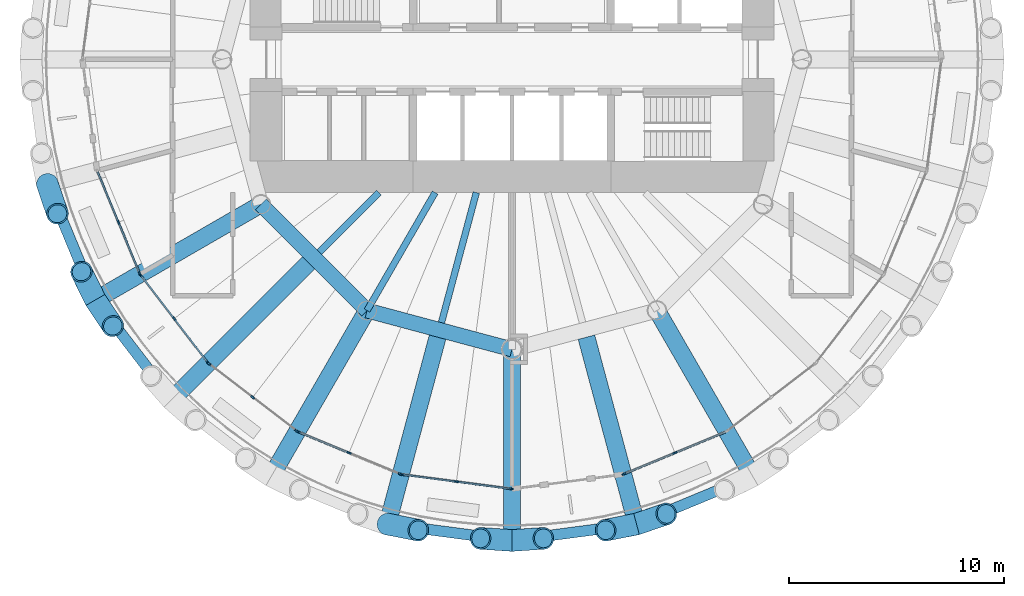
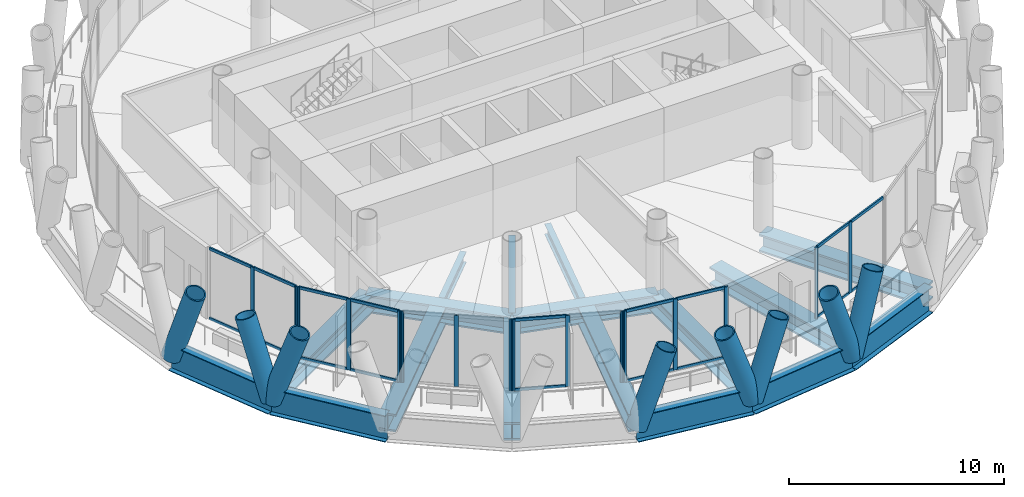
# One storey, part 2 of 13: 42 members, 17 beams, 6 elements without a shape of their own.
"""IFC4 building model written with IfcOpenShell, lengths in metres."""

from ifc_helpers import new_model, si_unit, direction, frame, origin, origin_2d, place, context, subcontext, project, spatial, rectangle, hollow_circle, i_section, extrude, material, material_profile, profile_set, type_object, element, aggregate, save


model = new_model("IFC4")

# Units and contexts
model_context = context("Model", 3, precision=1e-05, world=origin(), true_north=direction((0.0, 1.0)))
body_context = subcontext(model_context, "Body", "Model", "MODEL_VIEW")
ifc_project = project(units=[si_unit("LENGTHUNIT", "METRE"), si_unit("AREAUNIT", "SQUARE_METRE"), si_unit("VOLUMEUNIT", "CUBIC_METRE"), si_unit("PLANEANGLEUNIT", "RADIAN"), si_unit("MASSUNIT", "GRAM", prefix="KILO")], contexts=[model_context])

# Site, building, storey
site_placement = place(None, origin())
site = spatial("IfcSite", under=ifc_project, at=site_placement, CompositionType="ELEMENT")
building_placement = place(site_placement, origin())
building = spatial("IfcBuilding", under=site, at=building_placement, Name="Qaws Media Tower", CompositionType="ELEMENT")
storey_placement = place(building_placement, frame((0.0, 0.0, 244.39990234375)))
storey = spatial("IfcBuildingStorey", under=building, at=storey_placement, Name="L56", CompositionType="ELEMENT", Elevation=244.39990234375)

# Curtain wall, members
ifc_material_1 = material(Name="Aluminium and clear glass", Category="aluminium")
curtain_wall_type = type_object("IfcCurtainWallType", Name="Unitised curtain wall CW-C", PredefinedType="NOTDEFINED", material=ifc_material_1)
curtain_wall_1_placement = place(storey_placement, origin())
curtain_wall_1 = element("IfcCurtainWall", 1, at=curtain_wall_1_placement, inside=storey, type_object=curtain_wall_type, Name="CWC curtain wall L56-14", PredefinedType="NOTDEFINED")
ifc_material_2 = material(Name="Aluminium mullion", Category="aluminium")
ifc_material_profile_1 = material_profile(ifc_material_2, rectangle(XDim=0.080078125, YDim=0.199951171875, at=origin_2d()), Name="80x200")
ifc_profile_set_1 = profile_set([ifc_material_profile_1], Name="Aluminium mullion")
member_type_1 = type_object("IfcMemberType", Name="Curtain wall mullion 80x200", PredefinedType="MULLION", material=ifc_profile_set_1)
member_1_placement = place(storey_placement, frame((41.680419921875, 42.411865234375, 0.0), z_axis=(0.0, 0.0, 1.0), x_axis=(0.923879492524, 0.382683528904, 0.0)))
member_1 = element("IfcMember", 2, at=member_1_placement, type_object=member_type_1, Name="CWC mullion 2", PredefinedType="MULLION", context=body_context, shape_type="SweptSolid", body=[
    extrude(rectangle(XDim=0.080078125, YDim=0.199951171875, at=origin_2d()), origin(), (0.0, 0.0, 1.0), 4.0400390625),
])
member_2_placement = place(storey_placement, frame((42.664306640625, 40.036865234375, 0.0), z_axis=(0.0, 0.0, 1.0), x_axis=(0.923879492524, 0.382683528904, 0.0)))
member_2 = element("IfcMember", 3, at=member_2_placement, type_object=member_type_1, Name="CWC mullion 3", PredefinedType="MULLION", context=body_context, shape_type="SweptSolid", body=[
    extrude(rectangle(XDim=0.080078125, YDim=0.199951171875, at=origin_2d()), origin(), (0.0, 0.0, 1.0), 4.0400390625),
])

curtain_wall_2_placement = place(storey_placement, origin())
curtain_wall_2 = element("IfcCurtainWall", 4, at=curtain_wall_2_placement, inside=storey, type_object=curtain_wall_type, Name="CWC curtain wall L56-15", PredefinedType="NOTDEFINED")
member_3_placement = place(storey_placement, frame((42.703857421875, 39.96826171875, 0.0), z_axis=(0.0, 0.0, 1.0), x_axis=(0.793353408811, 0.608761339712, 0.0)))
member_3 = element("IfcMember", 5, at=member_3_placement, type_object=member_type_1, Name="CWC mullion 1", PredefinedType="MULLION", context=body_context, shape_type="SweptSolid", body=[
    extrude(rectangle(XDim=0.080078125, YDim=0.199951171875, at=origin_2d()), origin(), (0.0, 0.0, 1.0), 4.0400390625),
])
member_4_placement = place(storey_placement, frame((44.268798828125, 37.928955078125, 0.0), z_axis=(0.0, 0.0, 1.0), x_axis=(0.793353408811, 0.608761339712, 0.0)))
member_4 = element("IfcMember", 6, at=member_4_placement, type_object=member_type_1, Name="CWC mullion 2", PredefinedType="MULLION", context=body_context, shape_type="SweptSolid", body=[
    extrude(rectangle(XDim=0.080078125, YDim=0.199951171875, at=origin_2d()), origin(), (0.0, 0.0, 1.0), 4.0400390625),
])
member_5_placement = place(storey_placement, frame((45.83349609375, 35.8896484375, 0.0), z_axis=(0.0, 0.0, 1.0), x_axis=(0.793353408811, 0.608761339712, 0.0)))
member_5 = element("IfcMember", 7, at=member_5_placement, type_object=member_type_1, Name="CWC mullion 3", PredefinedType="MULLION", context=body_context, shape_type="SweptSolid", body=[
    extrude(rectangle(XDim=0.080078125, YDim=0.199951171875, at=origin_2d()), origin(), (0.0, 0.0, 1.0), 4.0400390625),
])

curtain_wall_3_placement = place(storey_placement, origin())
curtain_wall_3 = element("IfcCurtainWall", 8, at=curtain_wall_3_placement, inside=storey, type_object=curtain_wall_type, Name="CWC curtain wall L56-16", PredefinedType="NOTDEFINED")
member_6_placement = place(storey_placement, frame((45.8896484375, 35.83349609375, 0.0), z_axis=(0.0, 0.0, 1.0), x_axis=(0.608761339712, 0.793353408811, 0.0)))
member_6 = element("IfcMember", 9, at=member_6_placement, type_object=member_type_1, Name="CWC mullion 1", PredefinedType="MULLION", context=body_context, shape_type="SweptSolid", body=[
    extrude(rectangle(XDim=0.080078125, YDim=0.199951171875, at=origin_2d()), origin(), (0.0, 0.0, 1.0), 4.0400390625),
])
member_7_placement = place(storey_placement, frame((47.928955078125, 34.268798828125, 0.0), z_axis=(0.0, 0.0, 1.0), x_axis=(0.608761339712, 0.793353408811, 0.0)))
member_7 = element("IfcMember", 10, at=member_7_placement, type_object=member_type_1, Name="CWC mullion 2", PredefinedType="MULLION", context=body_context, shape_type="SweptSolid", body=[
    extrude(rectangle(XDim=0.080078125, YDim=0.199951171875, at=origin_2d()), origin(), (0.0, 0.0, 1.0), 4.0400390625),
])
member_8_placement = place(storey_placement, frame((49.96826171875, 32.703857421875, 0.0), z_axis=(0.0, 0.0, 1.0), x_axis=(0.608761339712, 0.793353408811, 0.0)))
member_8 = element("IfcMember", 11, at=member_8_placement, type_object=member_type_1, Name="CWC mullion 3", PredefinedType="MULLION", context=body_context, shape_type="SweptSolid", body=[
    extrude(rectangle(XDim=0.080078125, YDim=0.199951171875, at=origin_2d()), origin(), (0.0, 0.0, 1.0), 4.0400390625),
])
aggregate(curtain_wall_3, [member_6, member_7, member_8])

curtain_wall_4_placement = place(storey_placement, origin())
curtain_wall_4 = element("IfcCurtainWall", 12, at=curtain_wall_4_placement, inside=storey, type_object=curtain_wall_type, Name="CWC curtain wall L56-17", PredefinedType="NOTDEFINED")
member_9_placement = place(storey_placement, frame((50.036865234375, 32.664306640625, 0.0), z_axis=(0.0, 0.0, 1.0), x_axis=(0.382683528904, 0.923879492524, 0.0)))
member_9 = element("IfcMember", 13, at=member_9_placement, type_object=member_type_1, Name="CWC mullion 1", PredefinedType="MULLION", context=body_context, shape_type="SweptSolid", body=[
    extrude(rectangle(XDim=0.080078125, YDim=0.199951171875, at=origin_2d()), origin(), (0.0, 0.0, 1.0), 4.0400390625),
])
member_10_placement = place(storey_placement, frame((52.411865234375, 31.680419921875, 0.0), z_axis=(0.0, 0.0, 1.0), x_axis=(0.382683528904, 0.923879492524, 0.0)))
member_10 = element("IfcMember", 14, at=member_10_placement, type_object=member_type_1, Name="CWC mullion 2", PredefinedType="MULLION", context=body_context, shape_type="SweptSolid", body=[
    extrude(rectangle(XDim=0.080078125, YDim=0.199951171875, at=origin_2d()), origin(), (0.0, 0.0, 1.0), 4.0400390625),
])
member_11_placement = place(storey_placement, frame((54.78662109375, 30.69677734375, 0.0), z_axis=(0.0, 0.0, 1.0), x_axis=(0.382683528904, 0.923879492524, 0.0)))
member_11 = element("IfcMember", 15, at=member_11_placement, type_object=member_type_1, Name="CWC mullion 3", PredefinedType="MULLION", context=body_context, shape_type="SweptSolid", body=[
    extrude(rectangle(XDim=0.080078125, YDim=0.199951171875, at=origin_2d()), origin(), (0.0, 0.0, 1.0), 4.0400390625),
])

curtain_wall_5_placement = place(storey_placement, origin())
curtain_wall_5 = element("IfcCurtainWall", 16, at=curtain_wall_5_placement, inside=storey, type_object=curtain_wall_type, Name="CWC curtain wall L56-18", PredefinedType="NOTDEFINED")
member_12_placement = place(storey_placement, frame((54.86328125, 30.67626953125, 0.0), z_axis=(0.0, 0.0, 1.0), x_axis=(0.130526100509, 0.991444873448, 0.0)))
member_12 = element("IfcMember", 17, at=member_12_placement, type_object=member_type_1, Name="CWC mullion 1", PredefinedType="MULLION", context=body_context, shape_type="SweptSolid", body=[
    extrude(rectangle(XDim=0.080078125, YDim=0.199951171875, at=origin_2d()), origin(), (0.0, 0.0, 1.0), 4.0400390625),
])
member_13_placement = place(storey_placement, frame((57.411865234375, 30.3408203125, 0.0), z_axis=(0.0, 0.0, 1.0), x_axis=(0.130526100509, 0.991444873448, 0.0)))
member_13 = element("IfcMember", 18, at=member_13_placement, type_object=member_type_1, Name="CWC mullion 2", PredefinedType="MULLION", context=body_context, shape_type="SweptSolid", body=[
    extrude(rectangle(XDim=0.080078125, YDim=0.199951171875, at=origin_2d()), origin(), (0.0, 0.0, 1.0), 4.0400390625),
])
member_14_placement = place(storey_placement, frame((59.96044921875, 30.005126953125, 0.0), z_axis=(0.0, 0.0, 1.0), x_axis=(0.130526100509, 0.991444873448, 0.0)))
member_14 = element("IfcMember", 19, at=member_14_placement, type_object=member_type_1, Name="CWC mullion 3", PredefinedType="MULLION", context=body_context, shape_type="SweptSolid", body=[
    extrude(rectangle(XDim=0.080078125, YDim=0.199951171875, at=origin_2d()), origin(), (0.0, 0.0, 1.0), 4.0400390625),
])

curtain_wall_6_placement = place(storey_placement, origin())
curtain_wall_6 = element("IfcCurtainWall", 20, at=curtain_wall_6_placement, inside=storey, type_object=curtain_wall_type, Name="CWC curtain wall L56-20", PredefinedType="NOTDEFINED")
member_15_placement = place(storey_placement, frame((65.21337890625, 30.69677734375, 0.0), z_axis=(0.0, 0.0, 1.0), x_axis=(-0.382683528904, 0.923879492524, 0.0)))
member_15 = element("IfcMember", 21, at=member_15_placement, type_object=member_type_1, Name="CWC mullion 1", PredefinedType="MULLION", context=body_context, shape_type="SweptSolid", body=[
    extrude(rectangle(XDim=0.080078125, YDim=0.199951171875, at=origin_2d()), origin(), (0.0, 0.0, 1.0), 4.0400390625),
])
member_16_placement = place(storey_placement, frame((67.588134765625, 31.680419921875, 0.0), z_axis=(0.0, 0.0, 1.0), x_axis=(-0.382683528904, 0.923879492524, 0.0)))
member_16 = element("IfcMember", 22, at=member_16_placement, type_object=member_type_1, Name="CWC mullion 2", PredefinedType="MULLION", context=body_context, shape_type="SweptSolid", body=[
    extrude(rectangle(XDim=0.080078125, YDim=0.199951171875, at=origin_2d()), origin(), (0.0, 0.0, 1.0), 4.0400390625),
])

# Member
ifc_material_3 = material(Name="Aluminium transom", Category="aluminium")
ifc_material_profile_2 = material_profile(ifc_material_3, rectangle(XDim=0.080078125, YDim=0.159912109375, at=origin_2d()), Name="80x160")
ifc_profile_set_2 = profile_set([ifc_material_profile_2], Name="Aluminium transom")
member_type_2 = type_object("IfcMemberType", Name="Curtain wall transom 80x160", PredefinedType="USERDEFINED", material=ifc_profile_set_2)
member_17_placement = place(storey_placement, frame((40.712158203125, 44.749755859375, 0.0400390625), z_axis=(0.382686542724, -0.923878244152, 0.0), x_axis=(0.923878244152, 0.382686542724, 0.0)))
member_17 = element("IfcMember", 23, at=member_17_placement, type_object=member_type_2, Name="CWC transom 1.1", ObjectType="TRANSOM", PredefinedType="USERDEFINED", context=body_context, shape_type="SweptSolid", body=[
    extrude(rectangle(XDim=0.080078125, YDim=0.159912109375, at=origin_2d()), origin(), (0.0, 0.0, 1.0), 2.49072265625),
])

member_18_placement = place(storey_placement, frame((40.712158203125, 44.749755859375, 4.0), z_axis=(0.382686542724, -0.923878244152, 0.0), x_axis=(0.923878244152, 0.382686542724, 0.0)))
member_18 = element("IfcMember", 24, at=member_18_placement, type_object=member_type_2, Name="CWC transom 1.2", ObjectType="TRANSOM", PredefinedType="USERDEFINED", context=body_context, shape_type="SweptSolid", body=[
    extrude(rectangle(XDim=0.080078125, YDim=0.159912109375, at=origin_2d()), origin(), (0.0, 0.0, 1.0), 2.49072265625),
])

member_19_placement = place(storey_placement, frame((41.69580078125, 42.374755859375, 0.0400390625), z_axis=(0.382721202621, -0.923863886655, 0.0), x_axis=(0.923863886655, 0.382721202621, 0.0)))
member_19 = element("IfcMember", 25, at=member_19_placement, type_object=member_type_2, Name="CWC transom 2.1", ObjectType="TRANSOM", PredefinedType="USERDEFINED", context=body_context, shape_type="SweptSolid", body=[
    extrude(rectangle(XDim=0.080078125, YDim=0.159912109375, at=origin_2d()), origin(), (0.0, 0.0, 1.0), 2.490478515625),
])

member_20_placement = place(storey_placement, frame((41.69580078125, 42.374755859375, 4.0), z_axis=(0.382721202621, -0.923863886655, 0.0), x_axis=(0.923863886655, 0.382721202621, 0.0)))
member_20 = element("IfcMember", 26, at=member_20_placement, type_object=member_type_2, Name="CWC transom 2.2", ObjectType="TRANSOM", PredefinedType="USERDEFINED", context=body_context, shape_type="SweptSolid", body=[
    extrude(rectangle(XDim=0.080078125, YDim=0.159912109375, at=origin_2d()), origin(), (0.0, 0.0, 1.0), 2.490478515625),
])

aggregate(curtain_wall_1, [member_1, member_2, member_17, member_18, member_19, member_20])

member_21_placement = place(storey_placement, frame((42.728271484375, 39.9365234375, 0.0400390625), z_axis=(0.608762828767, -0.793352266217, 0.0), x_axis=(0.793352266217, 0.608762828767, 0.0)))
member_21 = element("IfcMember", 27, at=member_21_placement, type_object=member_type_2, Name="CWC transom 1.1", ObjectType="TRANSOM", PredefinedType="USERDEFINED", context=body_context, shape_type="SweptSolid", body=[
    extrude(rectangle(XDim=0.080078125, YDim=0.159912109375, at=origin_2d()), origin(), (0.0, 0.0, 1.0), 2.490478515625),
])

member_22_placement = place(storey_placement, frame((42.728271484375, 39.9365234375, 4.0), z_axis=(0.608762828767, -0.793352266217, 0.0), x_axis=(0.793352266217, 0.608762828767, 0.0)))
member_22 = element("IfcMember", 28, at=member_22_placement, type_object=member_type_2, Name="CWC transom 1.2", ObjectType="TRANSOM", PredefinedType="USERDEFINED", context=body_context, shape_type="SweptSolid", body=[
    extrude(rectangle(XDim=0.080078125, YDim=0.159912109375, at=origin_2d()), origin(), (0.0, 0.0, 1.0), 2.490478515625),
])

member_23_placement = place(storey_placement, frame((44.29296875, 37.897216796875, 0.0400390625), z_axis=(0.608762828767, -0.793352266217, 0.0), x_axis=(0.793352266217, 0.608762828767, 0.0)))
member_23 = element("IfcMember", 29, at=member_23_placement, type_object=member_type_2, Name="CWC transom 2.1", ObjectType="TRANSOM", PredefinedType="USERDEFINED", context=body_context, shape_type="SweptSolid", body=[
    extrude(rectangle(XDim=0.080078125, YDim=0.159912109375, at=origin_2d()), origin(), (0.0, 0.0, 1.0), 2.490478515625),
])

member_24_placement = place(storey_placement, frame((44.29296875, 37.897216796875, 4.0), z_axis=(0.608762828767, -0.793352266217, 0.0), x_axis=(0.793352266217, 0.608762828767, 0.0)))
member_24 = element("IfcMember", 30, at=member_24_placement, type_object=member_type_2, Name="CWC transom 2.2", ObjectType="TRANSOM", PredefinedType="USERDEFINED", context=body_context, shape_type="SweptSolid", body=[
    extrude(rectangle(XDim=0.080078125, YDim=0.159912109375, at=origin_2d()), origin(), (0.0, 0.0, 1.0), 2.490478515625),
])

aggregate(curtain_wall_2, [member_3, member_4, member_5, member_21, member_22, member_23, member_24])

member_25_placement = place(storey_placement, frame((50.073974609375, 32.64892578125, 0.0400390625), z_axis=(0.923863886655, -0.382721202621, 0.0), x_axis=(0.382721202621, 0.923863886655, 0.0)))
member_25 = element("IfcMember", 31, at=member_25_placement, type_object=member_type_2, Name="CWC transom 1.1", ObjectType="TRANSOM", PredefinedType="USERDEFINED", context=body_context, shape_type="SweptSolid", body=[
    extrude(rectangle(XDim=0.080078125, YDim=0.159912109375, at=origin_2d()), origin(), (0.0, 0.0, 1.0), 2.490478515625),
])

member_26_placement = place(storey_placement, frame((50.073974609375, 32.64892578125, 4.0), z_axis=(0.923863886655, -0.382721202621, 0.0), x_axis=(0.382721202621, 0.923863886655, 0.0)))
member_26 = element("IfcMember", 32, at=member_26_placement, type_object=member_type_2, Name="CWC transom 1.2", ObjectType="TRANSOM", PredefinedType="USERDEFINED", context=body_context, shape_type="SweptSolid", body=[
    extrude(rectangle(XDim=0.080078125, YDim=0.159912109375, at=origin_2d()), origin(), (0.0, 0.0, 1.0), 2.490478515625),
])

aggregate(curtain_wall_4, [member_9, member_10, member_11, member_25, member_26])

member_27_placement = place(storey_placement, frame((54.90283203125, 30.671142578125, 0.0400390625), z_axis=(0.991438940777, -0.130571155736, 0.0), x_axis=(0.130571155736, 0.991438940777, 0.0)))
member_27 = element("IfcMember", 33, at=member_27_placement, type_object=member_type_2, Name="CWC transom 1.1", ObjectType="TRANSOM", PredefinedType="USERDEFINED", context=body_context, shape_type="SweptSolid", body=[
    extrude(rectangle(XDim=0.080078125, YDim=0.159912109375, at=origin_2d()), origin(), (0.0, 0.0, 1.0), 2.490478515625),
])

member_28_placement = place(storey_placement, frame((54.90283203125, 30.671142578125, 4.0), z_axis=(0.991438940777, -0.130571155736, 0.0), x_axis=(0.130571155736, 0.991438940777, 0.0)))
member_28 = element("IfcMember", 34, at=member_28_placement, type_object=member_type_2, Name="CWC transom 1.2", ObjectType="TRANSOM", PredefinedType="USERDEFINED", context=body_context, shape_type="SweptSolid", body=[
    extrude(rectangle(XDim=0.080078125, YDim=0.159912109375, at=origin_2d()), origin(), (0.0, 0.0, 1.0), 2.490478515625),
])

member_29_placement = place(storey_placement, frame((57.451416015625, 30.33544921875, 0.0400390625), z_axis=(0.9914516261, -0.130474798728, 0.0), x_axis=(0.130474798728, 0.9914516261, 0.0)))
member_29 = element("IfcMember", 35, at=member_29_placement, type_object=member_type_2, Name="CWC transom 2.1", ObjectType="TRANSOM", PredefinedType="USERDEFINED", context=body_context, shape_type="SweptSolid", body=[
    extrude(rectangle(XDim=0.080078125, YDim=0.159912109375, at=origin_2d()), origin(), (0.0, 0.0, 1.0), 2.490478515625),
])

member_30_placement = place(storey_placement, frame((57.451416015625, 30.33544921875, 4.0), z_axis=(0.9914516261, -0.130474798728, 0.0), x_axis=(0.130474798728, 0.9914516261, 0.0)))
member_30 = element("IfcMember", 36, at=member_30_placement, type_object=member_type_2, Name="CWC transom 2.2", ObjectType="TRANSOM", PredefinedType="USERDEFINED", context=body_context, shape_type="SweptSolid", body=[
    extrude(rectangle(XDim=0.080078125, YDim=0.159912109375, at=origin_2d()), origin(), (0.0, 0.0, 1.0), 2.490478515625),
])

aggregate(curtain_wall_5, [member_12, member_13, member_14, member_27, member_28, member_29, member_30])

member_31_placement = place(storey_placement, frame((65.250244140625, 30.712158203125, 0.0400390625), z_axis=(0.923878244152, 0.382686542724, 0.0), x_axis=(-0.382686542724, 0.923878244152, 0.0)))
member_31 = element("IfcMember", 37, at=member_31_placement, type_object=member_type_2, Name="CWC transom 1.1", ObjectType="TRANSOM", PredefinedType="USERDEFINED", context=body_context, shape_type="SweptSolid", body=[
    extrude(rectangle(XDim=0.080078125, YDim=0.159912109375, at=origin_2d()), origin(), (0.0, 0.0, 1.0), 2.49072265625),
])

member_32_placement = place(storey_placement, frame((65.250244140625, 30.712158203125, 4.0), z_axis=(0.923878244152, 0.382686542724, 0.0), x_axis=(-0.382686542724, 0.923878244152, 0.0)))
member_32 = element("IfcMember", 38, at=member_32_placement, type_object=member_type_2, Name="CWC transom 1.2", ObjectType="TRANSOM", PredefinedType="USERDEFINED", context=body_context, shape_type="SweptSolid", body=[
    extrude(rectangle(XDim=0.080078125, YDim=0.159912109375, at=origin_2d()), origin(), (0.0, 0.0, 1.0), 2.49072265625),
])

member_33_placement = place(storey_placement, frame((67.625244140625, 31.69580078125, 0.0400390625), z_axis=(0.923863886655, 0.382721202621, 0.0), x_axis=(-0.382721202621, 0.923863886655, 0.0)))
member_33 = element("IfcMember", 39, at=member_33_placement, type_object=member_type_2, Name="CWC transom 2.1", ObjectType="TRANSOM", PredefinedType="USERDEFINED", context=body_context, shape_type="SweptSolid", body=[
    extrude(rectangle(XDim=0.080078125, YDim=0.159912109375, at=origin_2d()), origin(), (0.0, 0.0, 1.0), 2.490478515625),
])

member_34_placement = place(storey_placement, frame((67.625244140625, 31.69580078125, 4.0), z_axis=(0.923863886655, 0.382721202621, 0.0), x_axis=(-0.382721202621, 0.923863886655, 0.0)))
member_34 = element("IfcMember", 40, at=member_34_placement, type_object=member_type_2, Name="CWC transom 2.2", ObjectType="TRANSOM", PredefinedType="USERDEFINED", context=body_context, shape_type="SweptSolid", body=[
    extrude(rectangle(XDim=0.080078125, YDim=0.159912109375, at=origin_2d()), origin(), (0.0, 0.0, 1.0), 2.490478515625),
])

aggregate(curtain_wall_6, [member_15, member_16, member_31, member_32, member_33, member_34])

# Members
ifc_material_4 = material(Name="Steel S460", Category="steel")
ifc_material_profile_3 = material_profile(ifc_material_4, hollow_circle(Radius=0.508056640625, WallThickness=0.070068359375, at=origin_2d()), Name="CHS 1016x70")
ifc_profile_set_3 = profile_set([ifc_material_profile_3], Name="Steel S460")
member_type_3 = type_object("IfcMemberType", Name="Diagrid member CHS 1016x70", PredefinedType="USERDEFINED", material=ifc_profile_set_3)
member_35_placement = place(storey_placement, frame((38.36328125, 44.202392578125, -0.909912109375), z_axis=(0.106315297208, -0.311700863625, 0.944213762447), x_axis=(0.946460433523, 0.322819837953, 0.0)))
element("IfcMember", 41, at=member_35_placement, inside=storey, type_object=member_type_3, Name="DG3 diagrid L56 A14", ObjectType="DIAGRID", PredefinedType="USERDEFINED", context=body_context, shape_type="SweptSolid", body=[
    extrude(hollow_circle(Radius=0.508056640625, WallThickness=0.070068359375, at=origin_2d()), origin(), (0.0, 0.0, 1.0), 4.447998046875),
])
member_36_placement = place(storey_placement, frame((40.60107421875, 38.800048828125, -0.909912109375), z_axis=(0.183373426679, -0.273605666565, 0.944200257155), x_axis=(0.830689059787, 0.556736639669, 0.0)))
element("IfcMember", 42, at=member_36_placement, inside=storey, type_object=member_type_3, Name="DG3 diagrid L56 A15", ObjectType="DIAGRID", PredefinedType="USERDEFINED", context=body_context, shape_type="SweptSolid", body=[
    extrude(hollow_circle(Radius=0.508056640625, WallThickness=0.070068359375, at=origin_2d()), origin(), (0.0, 0.0, 1.0), 4.4482421875),
])
member_37_placement = place(storey_placement, frame((40.60107421875, 38.800048828125, -0.909912109375), z_axis=(-0.145284366824, 0.295563398318, 0.944211168294), x_axis=(-0.897439748915, -0.441137050209, 0.0)))
element("IfcMember", 43, at=member_37_placement, inside=storey, type_object=member_type_3, Name="DG3 diagrid L56 B15", ObjectType="DIAGRID", PredefinedType="USERDEFINED", context=body_context, shape_type="SweptSolid", body=[
    extrude(hollow_circle(Radius=0.508056640625, WallThickness=0.070068359375, at=origin_2d()), origin(), (0.0, 0.0, 1.0), 4.447998046875),
])
member_38_placement = place(storey_placement, frame((54.202392578125, 28.36328125, -0.909912109375), z_axis=(0.323114191577, -0.063832479158, 0.944204762647), x_axis=(0.193808199116, 0.981039439551, 0.0)))
element("IfcMember", 44, at=member_38_placement, inside=storey, type_object=member_type_3, Name="DG3 diagrid L56 A18", ObjectType="DIAGRID", PredefinedType="USERDEFINED", context=body_context, shape_type="SweptSolid", body=[
    extrude(hollow_circle(Radius=0.508056640625, WallThickness=0.070068359375, at=origin_2d()), origin(), (0.0, 0.0, 1.0), 4.4482421875),
])
for number, where, z_axis, x_axis, name in (
    (45, (60.0, 27.60009765625, -0.909912109375), (0.328605355286, 0.021954591968, 0.944212114077), (-0.066662806817, 0.997775561029, 0.0), "DG3 diagrid L56 A19"),
    (46, (60.0, 27.60009765625, -0.909912109375), (-0.328605355286, 0.021954591968, 0.944212114077), (-0.066662806817, -0.997775561029, 0.0), "DG3 diagrid L56 B19"),
    (47, (65.797607421875, 28.36328125, -0.909912109375), (0.311700863625, 0.106315297208, 0.944213762447), (-0.322819837953, 0.946460433523, 0.0), "DG3 diagrid L56 A20"),
):
    element("IfcMember", number, at=place(storey_placement, frame(where, z_axis=z_axis, x_axis=x_axis)), inside=storey, type_object=member_type_3, Name=name, ObjectType="DIAGRID", PredefinedType="USERDEFINED", context=body_context, shape_type="SweptSolid", body=[
        extrude(hollow_circle(Radius=0.508056640625, WallThickness=0.070068359375, at=origin_2d()), origin(), (0.0, 0.0, 1.0), 4.447998046875),
    ])
member_39_placement = place(storey_placement, frame((65.797607421875, 28.36328125, -0.909912109375), z_axis=(-0.323114191577, -0.063832479158, 0.944204762647), x_axis=(0.193808199116, -0.981039439551, 0.0)))
element("IfcMember", 48, at=member_39_placement, inside=storey, type_object=member_type_3, Name="DG3 diagrid L56 B20", ObjectType="DIAGRID", PredefinedType="USERDEFINED", context=body_context, shape_type="SweptSolid", body=[
    extrude(hollow_circle(Radius=0.508056640625, WallThickness=0.070068359375, at=origin_2d()), origin(), (0.0, 0.0, 1.0), 4.4482421875),
])

# Beams
ifc_material_5 = material(Name="Steel S460", Category="steel")
ifc_material_profile_4 = material_profile(ifc_material_5, i_section(OverallWidth=0.5, OverallDepth=1.5, WebThickness=0.02001953125, FlangeThickness=0.0400390625, at=origin_2d()), Name="PG 1500x500")
ifc_profile_set_4 = profile_set([ifc_material_profile_4], Name="Steel S460")
beam_type_1 = type_object("IfcBeamType", Name="Edge ring beam PG 1500x500", PredefinedType="BEAM", material=ifc_profile_set_4)
beam_1_placement = place(storey_placement, frame((38.36328125, 44.202392578125, -0.909912109375), z_axis=(0.382693492394, -0.923875365447, 0.0), x_axis=(0.923875365447, 0.382693492394, 0.0)))
element("IfcBeam", 49, at=beam_1_placement, inside=storey, type_object=beam_type_1, Name="RB4 edge ring beam L56-14", PredefinedType="BEAM", context=body_context, shape_type="SweptSolid", body=[
    extrude(i_section(OverallWidth=0.5, OverallDepth=1.5, WebThickness=0.02001953125, FlangeThickness=0.0400390625, at=origin_2d()), origin(), (0.0, 0.0, 1.0), 5.847412109375),
])
for number, where, z_axis, x_axis, name in (
    (50, (40.60107421875, 38.800048828125, -0.909912109375), (0.608768066223, -0.793348247333, 0.0), (0.793348247333, 0.608768066223, 0.0), "RB4 edge ring beam L56-15"),
    (51, (54.202392578125, 28.36328125, -0.909912109375), (0.991446762334, -0.130511752182, 0.0), (0.130511752182, 0.991446762334, 0.0), "RB4 edge ring beam L56-18"),
    (52, (60.0, 27.60009765625, -0.909912109375), (0.991446762334, 0.130511752182, 0.0), (-0.130511752182, 0.991446762334, 0.0), "RB4 edge ring beam L56-19"),
):
    element("IfcBeam", number, at=place(storey_placement, frame(where, z_axis=z_axis, x_axis=x_axis)), inside=storey, type_object=beam_type_1, Name=name, PredefinedType="BEAM", context=body_context, shape_type="SweptSolid", body=[
        extrude(i_section(OverallWidth=0.5, OverallDepth=1.5, WebThickness=0.02001953125, FlangeThickness=0.0400390625, at=origin_2d()), origin(), (0.0, 0.0, 1.0), 5.84765625),
    ])
beam_2_placement = place(storey_placement, frame((65.797607421875, 28.36328125, -0.909912109375), z_axis=(0.923875365447, 0.382693492394, 0.0), x_axis=(-0.382693492394, 0.923875365447, 0.0)))
element("IfcBeam", 53, at=beam_2_placement, inside=storey, type_object=beam_type_1, Name="RB4 edge ring beam L56-20", PredefinedType="BEAM", context=body_context, shape_type="SweptSolid", body=[
    extrude(i_section(OverallWidth=0.5, OverallDepth=1.5, WebThickness=0.02001953125, FlangeThickness=0.0400390625, at=origin_2d()), origin(), (0.0, 0.0, 1.0), 5.847412109375),
])
ifc_material_6 = material(Name="Steel S460", Category="steel")
ifc_material_profile_5 = material_profile(ifc_material_6, i_section(OverallWidth=0.699951171875, OverallDepth=1.0, WebThickness=0.034912109375, FlangeThickness=0.090087890625, at=origin_2d()), Name="PG 1000x700")
ifc_profile_set_5 = profile_set([ifc_material_profile_5], Name="Steel S460")
beam_type_2 = type_object("IfcBeamType", Name="Inner ring girder PG 1000x700", PredefinedType="BEAM", material=ifc_profile_set_5)
beam_3_placement = place(storey_placement, frame((48.30859375, 43.25, -0.659912109375), z_axis=(0.707106781187, -0.707106781187, 0.0), x_axis=(0.707106781187, 0.707106781187, 0.0)))
element("IfcBeam", 54, at=beam_3_placement, inside=storey, type_object=beam_type_2, Name="B3 inner ring beam L56 I08-I09", PredefinedType="BEAM", context=body_context, shape_type="SweptSolid", body=[
    extrude(i_section(OverallWidth=0.699951171875, OverallDepth=1.0, WebThickness=0.034912109375, FlangeThickness=0.090087890625, at=origin_2d()), origin(), (0.0, 0.0, 1.0), 6.98828125),
])
beam_4_placement = place(storey_placement, frame((53.25, 38.30859375, -0.659912109375), z_axis=(0.965928090778, -0.258810593767, 0.0), x_axis=(0.258810593767, 0.965928090778, 0.0)))
element("IfcBeam", 55, at=beam_4_placement, inside=storey, type_object=beam_type_2, Name="B3 inner ring beam L56 I09-I10", PredefinedType="BEAM", context=body_context, shape_type="SweptSolid", body=[
    extrude(i_section(OverallWidth=0.699951171875, OverallDepth=1.0, WebThickness=0.034912109375, FlangeThickness=0.090087890625, at=origin_2d()), origin(), (0.0, 0.0, 1.0), 6.988037109375),
])
ifc_material_7 = material(Name="Steel S355", Category="steel")
ifc_material_profile_6 = material_profile(ifc_material_7, i_section(OverallWidth=0.304931640625, OverallDepth=0.6201171875, WebThickness=0.02099609375, FlangeThickness=0.0400390625, FilletRadius=0.027099609375, at=origin_2d()), Name="HE 600 M")
ifc_profile_set_6 = profile_set([ifc_material_profile_6], Name="Steel S355")
beam_type_3 = type_object("IfcBeamType", Name="Radial beam HE 600 M, core side", PredefinedType="BEAM", material=ifc_profile_set_6)
beam_5_placement = place(storey_placement, frame((53.800048828125, 43.800048828125, -0.469970703125), z_axis=(-0.707106781187, -0.707106781187, 0.0), x_axis=(0.707106781187, -0.707106781187, 0.0)))
element("IfcBeam", 56, at=beam_5_placement, inside=storey, type_object=beam_type_3, Name="B2 radial beam L56 16", PredefinedType="BEAM", context=body_context, shape_type="SweptSolid", body=[
    extrude(i_section(OverallWidth=0.304931640625, OverallDepth=0.6201171875, WebThickness=0.02099609375, FlangeThickness=0.0400390625, FilletRadius=0.027099609375, at=origin_2d()), origin(), (0.0, 0.0, 1.0), 3.921875),
])
beam_6_placement = place(storey_placement, frame((56.42041015625, 43.800048828125, -0.469970703125), z_axis=(-0.499990193304, -0.866031065609, 0.0), x_axis=(0.866031065609, -0.499990193304, 0.0)))
element("IfcBeam", 57, at=beam_6_placement, inside=storey, type_object=beam_type_3, Name="B2 radial beam L56 17", PredefinedType="BEAM", context=body_context, shape_type="SweptSolid", body=[
    extrude(i_section(OverallWidth=0.304931640625, OverallDepth=0.6201171875, WebThickness=0.02099609375, FlangeThickness=0.0400390625, FilletRadius=0.027099609375, at=origin_2d()), origin(), (0.0, 0.0, 1.0), 6.341064453125),
])
beam_7_placement = place(storey_placement, frame((58.338623046875, 43.800048828125, -0.469970703125), z_axis=(-0.258806137559, -0.965929284763, 0.0), x_axis=(0.965929284763, -0.258806137559, 0.0)))
element("IfcBeam", 58, at=beam_7_placement, inside=storey, type_object=beam_type_3, Name="B2 radial beam L56 18", PredefinedType="BEAM", context=body_context, shape_type="SweptSolid", body=[
    extrude(i_section(OverallWidth=0.304931640625, OverallDepth=0.6201171875, WebThickness=0.02099609375, FlangeThickness=0.0400390625, FilletRadius=0.027099609375, at=origin_2d()), origin(), (0.0, 0.0, 1.0), 6.271240234375),
])
ifc_material_8 = material(Name="Steel S460", Category="steel")
ifc_material_profile_7 = material_profile(ifc_material_8, i_section(OverallWidth=0.800048828125, OverallDepth=1.0, WebThickness=0.0400390625, FlangeThickness=0.10009765625, at=origin_2d()), Name="PG 1000x800")
ifc_profile_set_7 = profile_set([ifc_material_profile_7], Name="Steel S460")
beam_type_4 = type_object("IfcBeamType", Name="Radial girder PG 1000x800", PredefinedType="BEAM", material=ifc_profile_set_7)
beam_8_placement = place(storey_placement, frame((48.30859375, 43.25, -0.659912109375), z_axis=(-0.866024786089, -0.500001069878, 0.0), x_axis=(0.500001069878, -0.866024786089, 0.0)))
element("IfcBeam", 59, at=beam_8_placement, inside=storey, type_object=beam_type_4, Name="B1 radial beam L56 15", PredefinedType="BEAM", context=body_context, shape_type="SweptSolid", body=[
    extrude(i_section(OverallWidth=0.800048828125, OverallDepth=1.0, WebThickness=0.0400390625, FlangeThickness=0.10009765625, at=origin_2d()), origin(), (0.0, 0.0, 1.0), 8.89990234375),
])
beam_9_placement = place(storey_placement, frame((50.53173828125, 40.53173828125, -0.659912109375), z_axis=(-0.707106781187, -0.707106781187, 0.0), x_axis=(0.707106781187, -0.707106781187, 0.0)))
element("IfcBeam", 60, at=beam_9_placement, inside=storey, type_object=beam_type_4, Name="B1 radial beam L56 16", PredefinedType="BEAM", context=body_context, shape_type="SweptSolid", body=[
    extrude(i_section(OverallWidth=0.800048828125, OverallDepth=1.0, WebThickness=0.0400390625, FlangeThickness=0.10009765625, at=origin_2d()), origin(), (0.0, 0.0, 1.0), 9.009765625),
])
beam_10_placement = place(storey_placement, frame((53.25, 38.30859375, -0.659912109375), z_axis=(-0.500001069878, -0.866024786089, 0.0), x_axis=(0.866024786089, -0.500001069878, 0.0)))
element("IfcBeam", 61, at=beam_10_placement, inside=storey, type_object=beam_type_4, Name="B1 radial beam L56 17", PredefinedType="BEAM", context=body_context, shape_type="SweptSolid", body=[
    extrude(i_section(OverallWidth=0.800048828125, OverallDepth=1.0, WebThickness=0.0400390625, FlangeThickness=0.10009765625, at=origin_2d()), origin(), (0.0, 0.0, 1.0), 8.89990234375),
])
beam_11_placement = place(storey_placement, frame((56.534423828125, 37.066162109375, -0.659912109375), z_axis=(-0.258829540486, -0.965923013998, 0.0), x_axis=(0.965923013998, -0.258829540486, 0.0)))
element("IfcBeam", 62, at=beam_11_placement, inside=storey, type_object=beam_type_4, Name="B1 radial beam L56 18", PredefinedType="BEAM", context=body_context, shape_type="SweptSolid", body=[
    extrude(i_section(OverallWidth=0.800048828125, OverallDepth=1.0, WebThickness=0.0400390625, FlangeThickness=0.10009765625, at=origin_2d()), origin(), (0.0, 0.0, 1.0), 9.010009765625),
])
beam_12_placement = place(storey_placement, frame((60.0, 36.5, -0.659912109375), z_axis=(0.0, -1.0, 0.0), x_axis=(1.0, 0.0, 0.0)))
element("IfcBeam", 63, at=beam_12_placement, inside=storey, type_object=beam_type_4, Name="B1 radial beam L56 19", PredefinedType="BEAM", context=body_context, shape_type="SweptSolid", body=[
    extrude(i_section(OverallWidth=0.800048828125, OverallDepth=1.0, WebThickness=0.0400390625, FlangeThickness=0.10009765625, at=origin_2d()), origin(), (0.0, 0.0, 1.0), 8.89990234375),
])
beam_13_placement = place(storey_placement, frame((63.465576171875, 37.066162109375, -0.659912109375), z_axis=(0.258829540486, -0.965923013998, 0.0), x_axis=(0.965923013998, 0.258829540486, 0.0)))
element("IfcBeam", 64, at=beam_13_placement, inside=storey, type_object=beam_type_4, Name="B1 radial beam L56 20", PredefinedType="BEAM", context=body_context, shape_type="SweptSolid", body=[
    extrude(i_section(OverallWidth=0.800048828125, OverallDepth=1.0, WebThickness=0.0400390625, FlangeThickness=0.10009765625, at=origin_2d()), origin(), (0.0, 0.0, 1.0), 9.010009765625),
])
beam_14_placement = place(storey_placement, frame((66.75, 38.30859375, -0.659912109375), z_axis=(0.500001069878, -0.866024786089, 0.0), x_axis=(0.866024786089, 0.500001069878, 0.0)))
element("IfcBeam", 65, at=beam_14_placement, inside=storey, type_object=beam_type_4, Name="B1 radial beam L56 21", PredefinedType="BEAM", context=body_context, shape_type="SweptSolid", body=[
    extrude(i_section(OverallWidth=0.800048828125, OverallDepth=1.0, WebThickness=0.0400390625, FlangeThickness=0.10009765625, at=origin_2d()), origin(), (0.0, 0.0, 1.0), 8.89990234375),
])

save(model, "model.ifc")
